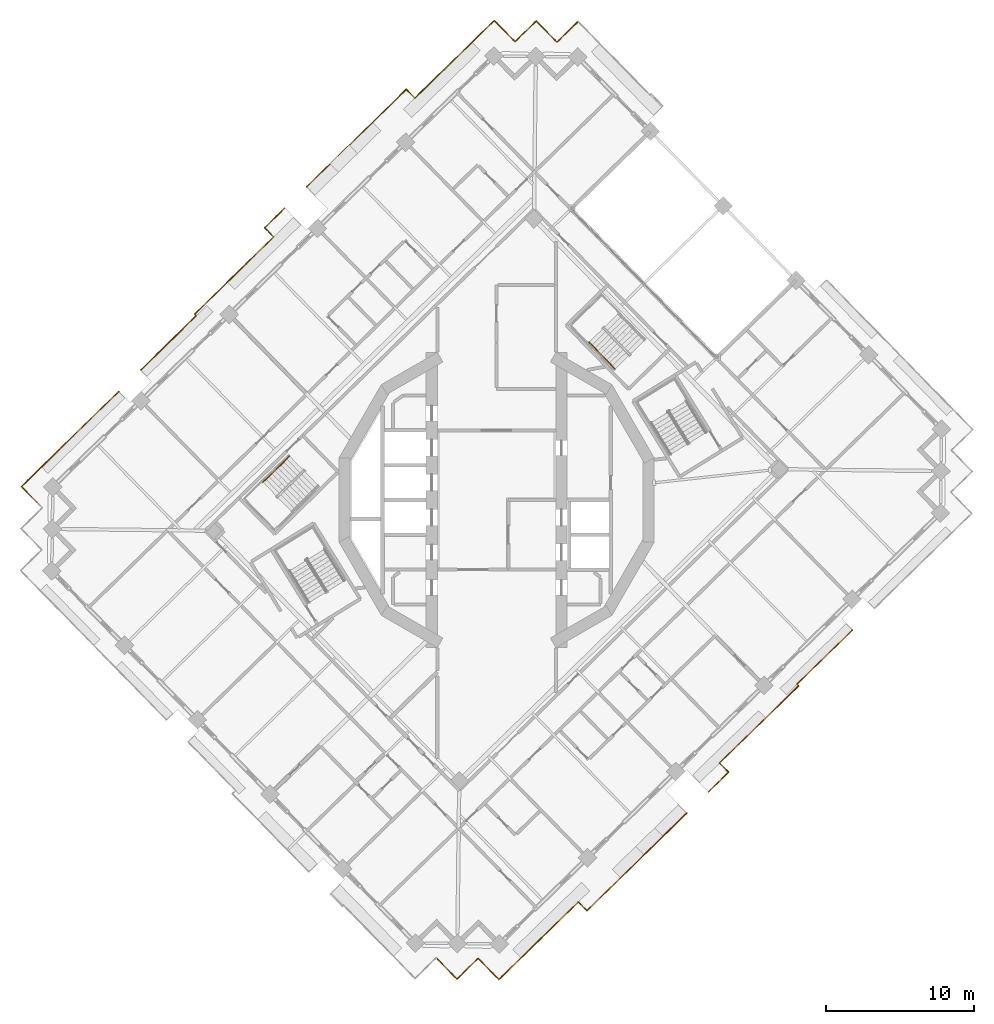
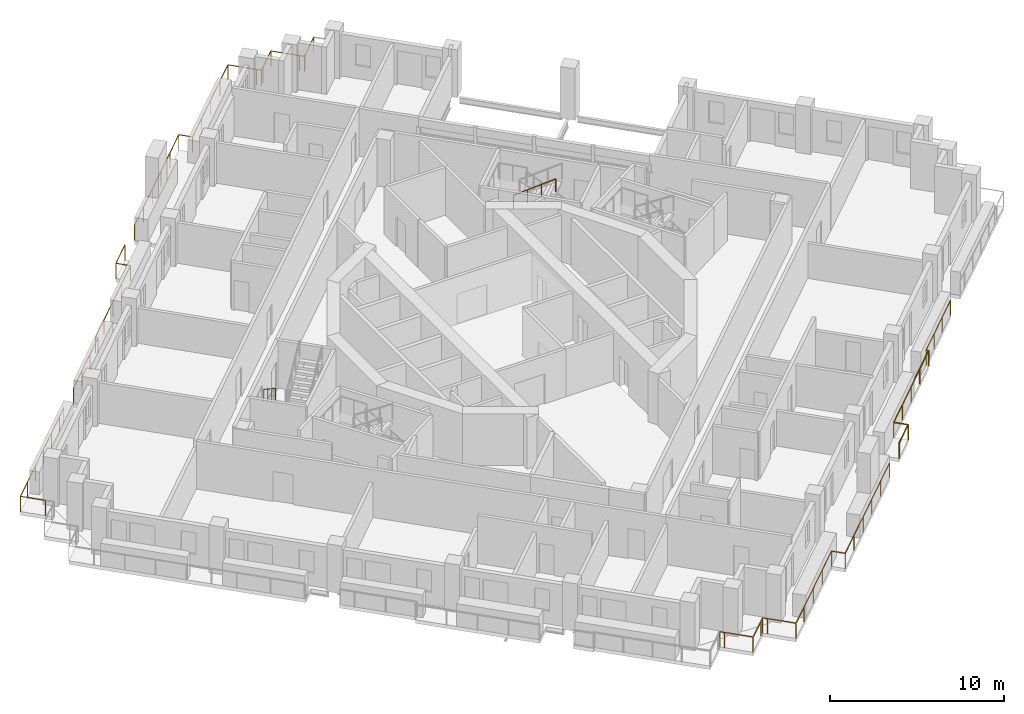
# One storey, part 17 of 20: 8 railings.
"""IFC4 building model written with IfcOpenShell, lengths in metres."""

from ifc_helpers import new_model, si_unit, direction, frame, origin, origin_2d, place, context, subcontext, project, spatial, circle, extrude, material, type_object, element, save


model = new_model("IFC4")

# Units and contexts
model_context = context("Model", 3, precision=1e-05, world=origin(), true_north=direction((0.0, 1.0)))
body_context = subcontext(model_context, "Body", "Model", "MODEL_VIEW")
ifc_project = project(units=[si_unit("LENGTHUNIT", "METRE"), si_unit("AREAUNIT", "SQUARE_METRE"), si_unit("VOLUMEUNIT", "CUBIC_METRE"), si_unit("PLANEANGLEUNIT", "RADIAN"), si_unit("MASSUNIT", "GRAM", prefix="KILO")], contexts=[model_context])

# Site, building, storey
site_placement = place(None, origin())
site = spatial("IfcSite", under=ifc_project, at=site_placement, CompositionType="ELEMENT")
building_placement = place(site_placement, origin())
building = spatial("IfcBuilding", under=site, at=building_placement, Name="Cantera Rosa Tower", CompositionType="ELEMENT")
storey_placement = place(building_placement, frame((0.0, 0.0, 212.60009765625)))
storey = spatial("IfcBuildingStorey", under=building, at=storey_placement, Name="L45", CompositionType="ELEMENT", Elevation=212.60009765625)

# Railings
ifc_material_1 = material(Name="Stainless steel and laminated glass", Category="steel")
railing_type_1 = type_object("IfcRailingType", Name="GUARD 1100", PredefinedType="BALUSTRADE", material=ifc_material_1)
railing_1_placement = place(storey_placement, frame((-31.0107421875, -0.16943359375, 0.0)))
element("IfcRailing", 1, at=railing_1_placement, inside=storey, type_object=railing_type_1, Name="GUARD L45-3", PredefinedType="BALUSTRADE", context=body_context, shape_type="SweptSolid", body=[
    extrude(circle(Radius=0.030029296875, at=origin_2d()), frame((0.0, 0.0, 1.070068359375), z_axis=(-0.698838323933, 0.71527966349, 0.0), x_axis=(-0.71527966349, -0.698838323933, 0.0)), (0.0, 0.0, 1.0), 1.499755859375),
    extrude(circle(Radius=0.030029296875, at=origin_2d()), frame((-1.048095703125, 1.07275390625, 1.070068359375), z_axis=(0.71519829713, 0.698921594874, 0.0), x_axis=(-0.698921594874, 0.71519829713, 0.0)), (0.0, 0.0, 1.0), 1.5),
    extrude(circle(Radius=0.030029296875, at=origin_2d()), frame((0.024658203125, 2.12109375, 1.070068359375), z_axis=(0.715292116391, 0.698825577829, 0.0), x_axis=(-0.698825577829, 0.715292116391, 0.0)), (0.0, 0.0, 1.0), 6.820068359375),
    extrude(circle(Radius=0.030029296875, at=origin_2d()), frame((4.903076171875, 6.88720703125, 1.070068359375), z_axis=(0.715337030636, 0.698779602308, 0.0), x_axis=(-0.698779602308, 0.715337030636, 0.0)), (0.0, 0.0, 1.0), 0.869873046875),
    extrude(circle(Radius=0.02490234375, at=origin_2d()), origin(), (0.0, 0.0, 1.0), 1.0400390625),
    extrude(circle(Radius=0.02490234375, at=origin_2d()), frame((-1.048095703125, 1.07275390625, 0.0)), (0.0, 0.0, 1.0), 1.0400390625),
    extrude(circle(Radius=0.02490234375, at=origin_2d()), frame((0.024658203125, 2.12109375, 0.0)), (0.0, 0.0, 1.0), 1.0400390625),
    extrude(circle(Radius=0.02490234375, at=origin_2d()), frame((1.244140625, 3.3125, 0.0)), (0.0, 0.0, 1.0), 1.0400390625),
    extrude(circle(Radius=0.02490234375, at=origin_2d()), frame((2.4638671875, 4.504150390625, 0.0)), (0.0, 0.0, 1.0), 1.0400390625),
    extrude(circle(Radius=0.02490234375, at=origin_2d()), frame((3.68359375, 5.69580078125, 0.0)), (0.0, 0.0, 1.0), 1.0400390625),
    extrude(circle(Radius=0.02490234375, at=origin_2d()), frame((4.903076171875, 6.88720703125, 0.0)), (0.0, 0.0, 1.0), 1.0400390625),
    extrude(circle(Radius=0.02490234375, at=origin_2d()), frame((5.525390625, 7.4951171875, 0.0)), (0.0, 0.0, 1.0), 1.0400390625),
])
railing_2_placement = place(storey_placement, frame((-24.011962890625, 8.765380859375, 0.0)))
element("IfcRailing", 2, at=railing_2_placement, inside=storey, type_object=railing_type_1, Name="GUARD L45-5", PredefinedType="BALUSTRADE", context=body_context, shape_type="SweptSolid", body=[
    extrude(circle(Radius=0.030029296875, at=origin_2d()), frame((0.0, 0.0, 1.070068359375), z_axis=(0.715781948377, 0.698323852075, 0.0), x_axis=(-0.698323852075, 0.715781948377, 0.0)), (0.0, 0.0, 1.0), 0.06982421875),
    extrude(circle(Radius=0.030029296875, at=origin_2d()), frame((0.050048828125, 0.048828125, 1.070068359375), z_axis=(0.715286575761, 0.69883124897, 0.0), x_axis=(-0.69883124897, 0.715286575761, 0.0)), (0.0, 0.0, 1.0), 5.1630859375),
    extrude(circle(Radius=0.030029296875, at=origin_2d()), frame((3.7431640625, 3.656982421875, 1.070068359375), z_axis=(-0.699276854888, 0.714850949652, 0.0), x_axis=(-0.714850949652, -0.699276854888, 0.0)), (0.0, 0.0, 1.0), 0.15673828125),
    extrude(circle(Radius=0.030029296875, at=origin_2d()), frame((3.633544921875, 3.76904296875, 1.070068359375), z_axis=(0.715281728135, 0.698836210707, 0.0), x_axis=(-0.698836210707, 0.715281728135, 0.0)), (0.0, 0.0, 1.0), 7.452392578125),
    extrude(circle(Radius=0.030029296875, at=origin_2d()), frame((8.964111328125, 8.97705078125, 1.070068359375), z_axis=(-0.698756270008, 0.715359822135, 0.0), x_axis=(-0.715359822135, -0.698756270008, 0.0)), (0.0, 0.0, 1.0), 0.867431640625),
    extrude(circle(Radius=0.030029296875, at=origin_2d()), frame((8.35791015625, 9.59765625, 1.070068359375), z_axis=(0.715242834957, 0.698876016932, 0.0), x_axis=(-0.698876016932, 0.715242834957, 0.0)), (0.0, 0.0, 1.0), 1.89453125),
    extrude(circle(Radius=0.02490234375, at=origin_2d()), origin(), (0.0, 0.0, 1.0), 1.0400390625),
    extrude(circle(Radius=0.02490234375, at=origin_2d()), frame((0.050048828125, 0.048828125, 0.0)), (0.0, 0.0, 1.0), 1.0400390625),
    extrude(circle(Radius=0.02490234375, at=origin_2d()), frame((1.281005859375, 1.25146484375, 0.0)), (0.0, 0.0, 1.0), 1.0400390625),
    extrude(circle(Radius=0.02490234375, at=origin_2d()), frame((2.51220703125, 2.454345703125, 0.0)), (0.0, 0.0, 1.0), 1.0400390625),
    extrude(circle(Radius=0.02490234375, at=origin_2d()), frame((3.7431640625, 3.656982421875, 0.0)), (0.0, 0.0, 1.0), 1.0400390625),
    extrude(circle(Radius=0.02490234375, at=origin_2d()), frame((3.633544921875, 3.76904296875, 0.0)), (0.0, 0.0, 1.0), 1.0400390625),
    extrude(circle(Radius=0.02490234375, at=origin_2d()), frame((4.96630859375, 5.071044921875, 0.0)), (0.0, 0.0, 1.0), 1.0400390625),
    extrude(circle(Radius=0.02490234375, at=origin_2d()), frame((6.298828125, 6.373046875, 0.0)), (0.0, 0.0, 1.0), 1.0400390625),
    extrude(circle(Radius=0.02490234375, at=origin_2d()), frame((7.63134765625, 7.675048828125, 0.0)), (0.0, 0.0, 1.0), 1.0400390625),
    extrude(circle(Radius=0.02490234375, at=origin_2d()), frame((8.964111328125, 8.97705078125, 0.0)), (0.0, 0.0, 1.0), 1.0400390625),
    extrude(circle(Radius=0.02490234375, at=origin_2d()), frame((8.35791015625, 9.59765625, 0.0)), (0.0, 0.0, 1.0), 1.0400390625),
    extrude(circle(Radius=0.02490234375, at=origin_2d()), frame((9.712890625, 10.921630859375, 0.0)), (0.0, 0.0, 1.0), 1.0400390625),
])
railing_3_placement = place(storey_placement, frame((-12.825439453125, 21.126708984375, 0.0)))
element("IfcRailing", 3, at=railing_3_placement, inside=storey, type_object=railing_type_1, Name="GUARD L45-7", PredefinedType="BALUSTRADE", context=body_context, shape_type="SweptSolid", body=[
    extrude(circle(Radius=0.030029296875, at=origin_2d()), frame((0.0, 0.0, 1.070068359375), z_axis=(0.715279704792, 0.698838281659, 0.0), x_axis=(-0.698838281659, 0.715279704792, 0.0)), (0.0, 0.0, 1.0), 9.414306640625),
    extrude(circle(Radius=0.030029296875, at=origin_2d()), frame((6.73388671875, 6.5791015625, 1.070068359375), z_axis=(0.698767714386, -0.715348643202, 0.0), x_axis=(0.715348643202, 0.698767714386, 0.0)), (0.0, 0.0, 1.0), 0.824462890625),
    extrude(circle(Radius=0.030029296875, at=origin_2d()), frame((7.31005859375, 5.9892578125, 1.070068359375), z_axis=(0.715294394715, 0.698823245814, 0.0), x_axis=(-0.698823245814, 0.715294394715, 0.0)), (0.0, 0.0, 1.0), 5.79541015625),
    extrude(circle(Radius=0.030029296875, at=origin_2d()), frame((11.45556640625, 10.039306640625, 1.070068359375), z_axis=(0.715316077832, 0.69880105094, 0.0), x_axis=(-0.69880105094, 0.715316077832, 0.0)), (0.0, 0.0, 1.0), 1.699951171875),
    extrude(circle(Radius=0.030029296875, at=origin_2d()), frame((12.671630859375, 11.227294921875, 1.070068359375), z_axis=(0.698872839675, -0.715245939495, 0.0), x_axis=(0.715245939495, 0.698872839675, 0.0)), (0.0, 0.0, 1.0), 1.699951171875),
    extrude(circle(Radius=0.030029296875, at=origin_2d()), frame((13.859619140625, 10.011474609375, 1.070068359375), z_axis=(0.698506948293, -0.715603272202, 0.0), x_axis=(0.715603272202, 0.698506948293, 0.0)), (0.0, 0.0, 1.0), 0.2998046875),
    extrude(circle(Radius=0.030029296875, at=origin_2d()), frame((14.069091796875, 9.796875, 1.070068359375), z_axis=(0.715196445894, 0.698923489218, 0.0), x_axis=(-0.698923489218, 0.715196445894, 0.0)), (0.0, 0.0, 1.0), 0.300048828125),
    extrude(circle(Radius=0.030029296875, at=origin_2d()), frame((14.28369140625, 10.006591796875, 1.070068359375), z_axis=(0.715316077832, 0.69880105094, 0.0), x_axis=(-0.69880105094, 0.715316077832, 0.0)), (0.0, 0.0, 1.0), 1.699951171875),
    extrude(circle(Radius=0.030029296875, at=origin_2d()), frame((15.499755859375, 11.194580078125, 1.070068359375), z_axis=(0.69880105094, -0.715316077832, 0.0), x_axis=(0.715316077832, 0.69880105094, 0.0)), (0.0, 0.0, 1.0), 1.699951171875),
    extrude(circle(Radius=0.030029296875, at=origin_2d()), frame((16.687744140625, 9.978515625, 1.070068359375), z_axis=(0.698923489218, -0.715196445894, 0.0), x_axis=(0.715196445894, 0.698923489218, 0.0)), (0.0, 0.0, 1.0), 0.300048828125),
    extrude(circle(Radius=0.030029296875, at=origin_2d()), frame((16.8974609375, 9.763916015625, 1.070068359375), z_axis=(0.715196445894, 0.698923489218, 0.0), x_axis=(-0.698923489218, 0.715196445894, 0.0)), (0.0, 0.0, 1.0), 0.300048828125),
    extrude(circle(Radius=0.030029296875, at=origin_2d()), frame((17.112060546875, 9.9736328125, 1.070068359375), z_axis=(0.715316077832, 0.69880105094, 0.0), x_axis=(-0.69880105094, 0.715316077832, 0.0)), (0.0, 0.0, 1.0), 1.699951171875),
    extrude(circle(Radius=0.02490234375, at=origin_2d()), origin(), (0.0, 0.0, 1.0), 1.0400390625),
    extrude(circle(Radius=0.02490234375, at=origin_2d()), frame((1.3466796875, 1.31591796875, 0.0)), (0.0, 0.0, 1.0), 1.0400390625),
    extrude(circle(Radius=0.02490234375, at=origin_2d()), frame((2.693603515625, 2.631591796875, 0.0)), (0.0, 0.0, 1.0), 1.0400390625),
    extrude(circle(Radius=0.02490234375, at=origin_2d()), frame((4.040283203125, 3.947509765625, 0.0)), (0.0, 0.0, 1.0), 1.0400390625),
    extrude(circle(Radius=0.02490234375, at=origin_2d()), frame((5.38720703125, 5.26318359375, 0.0)), (0.0, 0.0, 1.0), 1.0400390625),
    extrude(circle(Radius=0.02490234375, at=origin_2d()), frame((6.73388671875, 6.5791015625, 0.0)), (0.0, 0.0, 1.0), 1.0400390625),
    extrude(circle(Radius=0.02490234375, at=origin_2d()), frame((7.31005859375, 5.9892578125, 0.0)), (0.0, 0.0, 1.0), 1.0400390625),
    extrude(circle(Radius=0.02490234375, at=origin_2d()), frame((8.69189453125, 7.33935546875, 0.0)), (0.0, 0.0, 1.0), 1.0400390625),
    extrude(circle(Radius=0.02490234375, at=origin_2d()), frame((10.07373046875, 8.689208984375, 0.0)), (0.0, 0.0, 1.0), 1.0400390625),
    extrude(circle(Radius=0.02490234375, at=origin_2d()), frame((11.45556640625, 10.039306640625, 0.0)), (0.0, 0.0, 1.0), 1.0400390625),
    extrude(circle(Radius=0.02490234375, at=origin_2d()), frame((12.671630859375, 11.227294921875, 0.0)), (0.0, 0.0, 1.0), 1.0400390625),
    extrude(circle(Radius=0.02490234375, at=origin_2d()), frame((13.859619140625, 10.011474609375, 0.0)), (0.0, 0.0, 1.0), 1.0400390625),
    extrude(circle(Radius=0.02490234375, at=origin_2d()), frame((14.069091796875, 9.796875, 0.0)), (0.0, 0.0, 1.0), 1.0400390625),
    extrude(circle(Radius=0.02490234375, at=origin_2d()), frame((14.28369140625, 10.006591796875, 0.0)), (0.0, 0.0, 1.0), 1.0400390625),
    extrude(circle(Radius=0.02490234375, at=origin_2d()), frame((15.499755859375, 11.194580078125, 0.0)), (0.0, 0.0, 1.0), 1.0400390625),
    extrude(circle(Radius=0.02490234375, at=origin_2d()), frame((16.687744140625, 9.978515625, 0.0)), (0.0, 0.0, 1.0), 1.0400390625),
    extrude(circle(Radius=0.02490234375, at=origin_2d()), frame((16.8974609375, 9.763916015625, 0.0)), (0.0, 0.0, 1.0), 1.0400390625),
    extrude(circle(Radius=0.02490234375, at=origin_2d()), frame((17.112060546875, 9.9736328125, 0.0)), (0.0, 0.0, 1.0), 1.0400390625),
    extrude(circle(Radius=0.02490234375, at=origin_2d()), frame((18.328125, 11.16162109375, 0.0)), (0.0, 0.0, 1.0), 1.0400390625),
])
railing_4_placement = place(storey_placement, frame((12.825439453125, -21.126708984375, 0.0)))
element("IfcRailing", 4, at=railing_4_placement, inside=storey, type_object=railing_type_1, Name="GUARD L45-9", PredefinedType="BALUSTRADE", context=body_context, shape_type="SweptSolid", body=[
    extrude(circle(Radius=0.030029296875, at=origin_2d()), frame((0.0, 0.0, 1.070068359375), z_axis=(-0.715279704792, -0.698838281659, 0.0), x_axis=(0.698838281659, -0.715279704792, 0.0)), (0.0, 0.0, 1.0), 9.414306640625),
    extrude(circle(Radius=0.030029296875, at=origin_2d()), frame((-6.73388671875, -6.5791015625, 1.070068359375), z_axis=(-0.698767714386, 0.715348643202, 0.0), x_axis=(-0.715348643202, -0.698767714386, 0.0)), (0.0, 0.0, 1.0), 0.824462890625),
    extrude(circle(Radius=0.030029296875, at=origin_2d()), frame((-7.31005859375, -5.9892578125, 1.070068359375), z_axis=(-0.715294394715, -0.698823245814, 0.0), x_axis=(0.698823245814, -0.715294394715, 0.0)), (0.0, 0.0, 1.0), 5.79541015625),
    extrude(circle(Radius=0.030029296875, at=origin_2d()), frame((-11.45556640625, -10.039306640625, 1.070068359375), z_axis=(-0.715316077832, -0.69880105094, 0.0), x_axis=(0.69880105094, -0.715316077832, 0.0)), (0.0, 0.0, 1.0), 1.699951171875),
    extrude(circle(Radius=0.030029296875, at=origin_2d()), frame((-12.671630859375, -11.227294921875, 1.070068359375), z_axis=(-0.698872839675, 0.715245939495, 0.0), x_axis=(-0.715245939495, -0.698872839675, 0.0)), (0.0, 0.0, 1.0), 1.699951171875),
    extrude(circle(Radius=0.030029296875, at=origin_2d()), frame((-13.859619140625, -10.011474609375, 1.070068359375), z_axis=(-0.698506948293, 0.715603272202, 0.0), x_axis=(-0.715603272202, -0.698506948293, 0.0)), (0.0, 0.0, 1.0), 0.2998046875),
    extrude(circle(Radius=0.030029296875, at=origin_2d()), frame((-14.069091796875, -9.796875, 1.070068359375), z_axis=(-0.715196445894, -0.698923489218, 0.0), x_axis=(0.698923489218, -0.715196445894, 0.0)), (0.0, 0.0, 1.0), 0.300048828125),
    extrude(circle(Radius=0.030029296875, at=origin_2d()), frame((-14.28369140625, -10.006591796875, 1.070068359375), z_axis=(-0.715316077832, -0.69880105094, 0.0), x_axis=(0.69880105094, -0.715316077832, 0.0)), (0.0, 0.0, 1.0), 1.699951171875),
    extrude(circle(Radius=0.030029296875, at=origin_2d()), frame((-15.499755859375, -11.194580078125, 1.070068359375), z_axis=(-0.69880105094, 0.715316077832, 0.0), x_axis=(-0.715316077832, -0.69880105094, 0.0)), (0.0, 0.0, 1.0), 1.699951171875),
    extrude(circle(Radius=0.030029296875, at=origin_2d()), frame((-16.687744140625, -9.978515625, 1.070068359375), z_axis=(-0.698923489218, 0.715196445894, 0.0), x_axis=(-0.715196445894, -0.698923489218, 0.0)), (0.0, 0.0, 1.0), 0.300048828125),
    extrude(circle(Radius=0.02490234375, at=origin_2d()), origin(), (0.0, 0.0, 1.0), 1.0400390625),
    extrude(circle(Radius=0.02490234375, at=origin_2d()), frame((-1.3466796875, -1.31591796875, 0.0)), (0.0, 0.0, 1.0), 1.0400390625),
    extrude(circle(Radius=0.02490234375, at=origin_2d()), frame((-2.693603515625, -2.631591796875, 0.0)), (0.0, 0.0, 1.0), 1.0400390625),
    extrude(circle(Radius=0.02490234375, at=origin_2d()), frame((-4.040283203125, -3.947509765625, 0.0)), (0.0, 0.0, 1.0), 1.0400390625),
    extrude(circle(Radius=0.02490234375, at=origin_2d()), frame((-5.38720703125, -5.26318359375, 0.0)), (0.0, 0.0, 1.0), 1.0400390625),
    extrude(circle(Radius=0.02490234375, at=origin_2d()), frame((-6.73388671875, -6.5791015625, 0.0)), (0.0, 0.0, 1.0), 1.0400390625),
    extrude(circle(Radius=0.02490234375, at=origin_2d()), frame((-7.31005859375, -5.9892578125, 0.0)), (0.0, 0.0, 1.0), 1.0400390625),
    extrude(circle(Radius=0.02490234375, at=origin_2d()), frame((-8.69189453125, -7.33935546875, 0.0)), (0.0, 0.0, 1.0), 1.0400390625),
    extrude(circle(Radius=0.02490234375, at=origin_2d()), frame((-10.07373046875, -8.689208984375, 0.0)), (0.0, 0.0, 1.0), 1.0400390625),
    extrude(circle(Radius=0.02490234375, at=origin_2d()), frame((-11.45556640625, -10.039306640625, 0.0)), (0.0, 0.0, 1.0), 1.0400390625),
    extrude(circle(Radius=0.02490234375, at=origin_2d()), frame((-12.671630859375, -11.227294921875, 0.0)), (0.0, 0.0, 1.0), 1.0400390625),
    extrude(circle(Radius=0.02490234375, at=origin_2d()), frame((-13.859619140625, -10.011474609375, 0.0)), (0.0, 0.0, 1.0), 1.0400390625),
    extrude(circle(Radius=0.02490234375, at=origin_2d()), frame((-14.069091796875, -9.796875, 0.0)), (0.0, 0.0, 1.0), 1.0400390625),
    extrude(circle(Radius=0.02490234375, at=origin_2d()), frame((-14.28369140625, -10.006591796875, 0.0)), (0.0, 0.0, 1.0), 1.0400390625),
    extrude(circle(Radius=0.02490234375, at=origin_2d()), frame((-15.499755859375, -11.194580078125, 0.0)), (0.0, 0.0, 1.0), 1.0400390625),
    extrude(circle(Radius=0.02490234375, at=origin_2d()), frame((-16.687744140625, -9.978515625, 0.0)), (0.0, 0.0, 1.0), 1.0400390625),
    extrude(circle(Radius=0.02490234375, at=origin_2d()), frame((-16.8974609375, -9.763916015625, 0.0)), (0.0, 0.0, 1.0), 1.0400390625),
])
railing_5_placement = place(storey_placement, frame((20.37841796875, -12.534423828125, 0.0)))
element("IfcRailing", 5, at=railing_5_placement, inside=storey, type_object=railing_type_1, Name="GUARD L45-10", PredefinedType="BALUSTRADE", context=body_context, shape_type="SweptSolid", body=[
    extrude(circle(Radius=0.030029296875, at=origin_2d()), frame((0.0, 0.0, 1.070068359375), z_axis=(-0.715281728135, -0.698836210707, 0.0), x_axis=(0.698836210707, -0.715281728135, 0.0)), (0.0, 0.0, 1.0), 7.452392578125),
    extrude(circle(Radius=0.030029296875, at=origin_2d()), frame((-5.33056640625, -5.2080078125, 1.070068359375), z_axis=(0.698756270008, -0.715359822135, 0.0), x_axis=(0.715359822135, 0.698756270008, 0.0)), (0.0, 0.0, 1.0), 0.867431640625),
    extrude(circle(Radius=0.030029296875, at=origin_2d()), frame((-4.724365234375, -5.82861328125, 1.070068359375), z_axis=(-0.715242834957, -0.698876016932, 0.0), x_axis=(0.698876016932, -0.715242834957, 0.0)), (0.0, 0.0, 1.0), 1.89453125),
    extrude(circle(Radius=0.02490234375, at=origin_2d()), origin(), (0.0, 0.0, 1.0), 1.0400390625),
    extrude(circle(Radius=0.02490234375, at=origin_2d()), frame((-1.33251953125, -1.302001953125, 0.0)), (0.0, 0.0, 1.0), 1.0400390625),
    extrude(circle(Radius=0.02490234375, at=origin_2d()), frame((-2.665283203125, -2.60400390625, 0.0)), (0.0, 0.0, 1.0), 1.0400390625),
    extrude(circle(Radius=0.02490234375, at=origin_2d()), frame((-3.998046875, -3.906005859375, 0.0)), (0.0, 0.0, 1.0), 1.0400390625),
    extrude(circle(Radius=0.02490234375, at=origin_2d()), frame((-5.33056640625, -5.2080078125, 0.0)), (0.0, 0.0, 1.0), 1.0400390625),
    extrude(circle(Radius=0.02490234375, at=origin_2d()), frame((-4.724365234375, -5.82861328125, 0.0)), (0.0, 0.0, 1.0), 1.0400390625),
    extrude(circle(Radius=0.02490234375, at=origin_2d()), frame((-6.079345703125, -7.152587890625, 0.0)), (0.0, 0.0, 1.0), 1.0400390625),
])
railing_6_placement = place(storey_placement, frame((24.011962890625, -8.765380859375, 0.0)))
element("IfcRailing", 6, at=railing_6_placement, inside=storey, type_object=railing_type_1, Name="GUARD L45-11", PredefinedType="BALUSTRADE", context=body_context, shape_type="SweptSolid", body=[
    extrude(circle(Radius=0.030029296875, at=origin_2d()), frame((0.0, 0.0, 1.070068359375), z_axis=(-0.715781948377, -0.698323852075, 0.0), x_axis=(0.698323852075, -0.715781948377, 0.0)), (0.0, 0.0, 1.0), 0.06982421875),
    extrude(circle(Radius=0.030029296875, at=origin_2d()), frame((-0.050048828125, -0.048828125, 1.070068359375), z_axis=(-0.715286575761, -0.69883124897, 0.0), x_axis=(0.69883124897, -0.715286575761, 0.0)), (0.0, 0.0, 1.0), 5.1630859375),
    extrude(circle(Radius=0.030029296875, at=origin_2d()), frame((-3.7431640625, -3.656982421875, 1.070068359375), z_axis=(0.699276854888, -0.714850949652, 0.0), x_axis=(0.714850949652, 0.699276854888, 0.0)), (0.0, 0.0, 1.0), 0.15673828125),
    extrude(circle(Radius=0.02490234375, at=origin_2d()), origin(), (0.0, 0.0, 1.0), 1.0400390625),
    extrude(circle(Radius=0.02490234375, at=origin_2d()), frame((-0.050048828125, -0.048828125, 0.0)), (0.0, 0.0, 1.0), 1.0400390625),
    extrude(circle(Radius=0.02490234375, at=origin_2d()), frame((-1.281005859375, -1.25146484375, 0.0)), (0.0, 0.0, 1.0), 1.0400390625),
    extrude(circle(Radius=0.02490234375, at=origin_2d()), frame((-2.51220703125, -2.454345703125, 0.0)), (0.0, 0.0, 1.0), 1.0400390625),
    extrude(circle(Radius=0.02490234375, at=origin_2d()), frame((-3.7431640625, -3.656982421875, 0.0)), (0.0, 0.0, 1.0), 1.0400390625),
    extrude(circle(Radius=0.02490234375, at=origin_2d()), frame((-3.633544921875, -3.76904296875, 0.0)), (0.0, 0.0, 1.0), 1.0400390625),
])
ifc_material_2 = material(Name="Steel S355J2 (EN 10025-2)", Category="steel")
railing_type_2 = type_object("IfcRailingType", Name="STAIR HANDRAIL 900", PredefinedType="HANDRAIL", material=ifc_material_2)
railing_7_placement = place(storey_placement, frame((6.23388671875, 10.64013671875, 1.97998046875)))
element("IfcRailing", 7, at=railing_7_placement, inside=storey, type_object=railing_type_2, Name="L45 ST-42 stair handrail 2", PredefinedType="HANDRAIL", context=body_context, shape_type="SweptSolid", body=[
    extrude(circle(Radius=0.02392578125, at=origin_2d()), frame((0.0, 0.0, 0.8759765625), z_axis=(0.587844099419, -0.60169873645, 0.540738333515), x_axis=(0.715293958342, 0.698823692472, 0.0)), (0.0, 0.0, 1.0), 2.99560546875),
    extrude(circle(Radius=0.02099609375, at=origin_2d()), origin(), (0.0, 0.0, 1.0), 0.851806640625),
    extrude(circle(Radius=0.02099609375, at=origin_2d()), frame((0.5869140625, -0.600830078125, 0.5400390625)), (0.0, 0.0, 1.0), 0.851806640625),
    extrude(circle(Radius=0.02099609375, at=origin_2d()), frame((1.174072265625, -1.20166015625, 1.079833984375)), (0.0, 0.0, 1.0), 0.851806640625),
    extrude(circle(Radius=0.02099609375, at=origin_2d()), frame((1.760986328125, -1.802490234375, 1.619873046875)), (0.0, 0.0, 1.0), 0.851806640625),
])
railing_8_placement = place(storey_placement, frame((-13.95947265625, 2.9619140625, 0.179931640625)))
element("IfcRailing", 8, at=railing_8_placement, inside=storey, type_object=railing_type_2, Name="L45 ST-43 stair handrail 1", PredefinedType="HANDRAIL", context=body_context, shape_type="SweptSolid", body=[
    extrude(circle(Radius=0.02392578125, at=origin_2d()), frame((0.0, 0.0, 0.8759765625), z_axis=(-0.60169873645, -0.587844099419, 0.540738333515), x_axis=(0.698823692472, -0.715293958342, 0.0)), (0.0, 0.0, 1.0), 2.99560546875),
    extrude(circle(Radius=0.02099609375, at=origin_2d()), origin(), (0.0, 0.0, 1.0), 0.851806640625),
    extrude(circle(Radius=0.02099609375, at=origin_2d()), frame((-0.600830078125, -0.5869140625, 0.5400390625)), (0.0, 0.0, 1.0), 0.851806640625),
    extrude(circle(Radius=0.02099609375, at=origin_2d()), frame((-1.20166015625, -1.174072265625, 1.079833984375)), (0.0, 0.0, 1.0), 0.851806640625),
    extrude(circle(Radius=0.02099609375, at=origin_2d()), frame((-1.802490234375, -1.760986328125, 1.619873046875)), (0.0, 0.0, 1.0), 0.851806640625),
])

save(model, "model.ifc")
